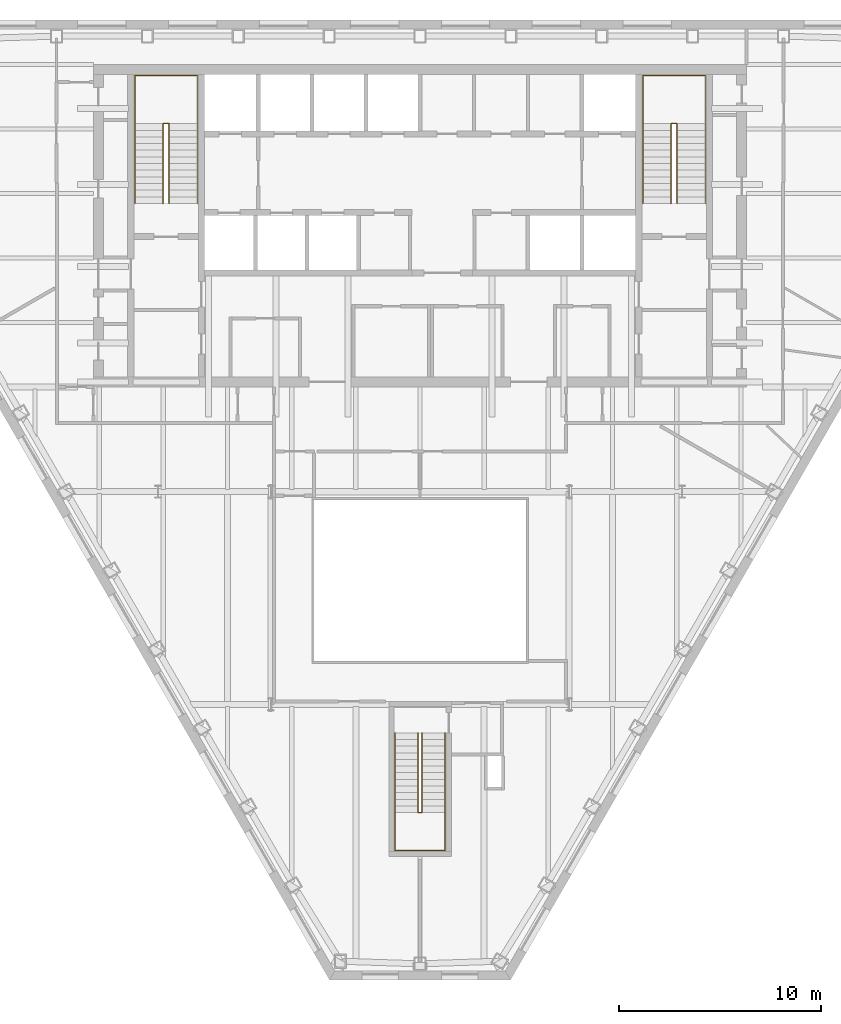
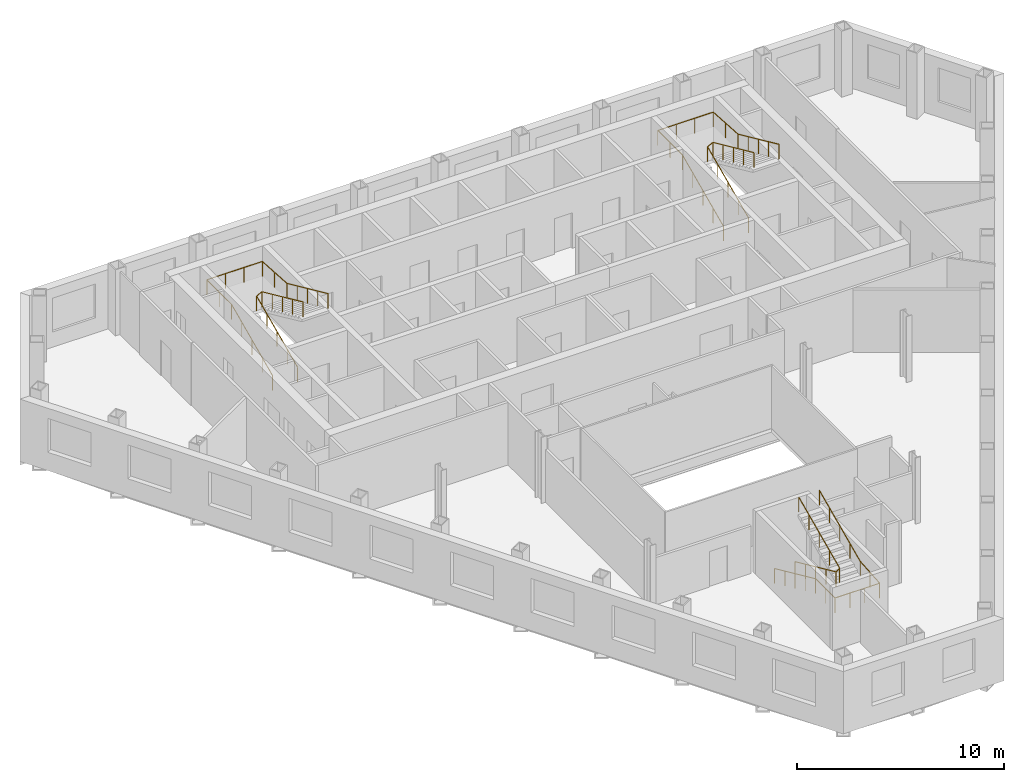
# One storey, part 11 of 11: 6 railings.
"""IFC4 building model written with IfcOpenShell, lengths in metres."""

from ifc_helpers import new_model, si_unit, direction, frame, origin, origin_2d, place, context, subcontext, project, spatial, circle, extrude, material, type_object, element, save


model = new_model("IFC4")

# Units and contexts
model_context = context("Model", 3, precision=1e-05, world=origin(), true_north=direction((0.0, 1.0)))
body_context = subcontext(model_context, "Body", "Model", "MODEL_VIEW")
ifc_project = project(units=[si_unit("LENGTHUNIT", "METRE"), si_unit("AREAUNIT", "SQUARE_METRE"), si_unit("VOLUMEUNIT", "CUBIC_METRE"), si_unit("PLANEANGLEUNIT", "RADIAN"), si_unit("MASSUNIT", "GRAM", prefix="KILO")], contexts=[model_context])

# Site, building, storey
site_placement = place(None, origin())
site = spatial("IfcSite", under=ifc_project, at=site_placement, CompositionType="ELEMENT")
building_placement = place(site_placement, origin())
building = spatial("IfcBuilding", under=site, at=building_placement, Name="Njiva Tower", CompositionType="ELEMENT")
storey_placement = place(building_placement, frame((0.0, 0.0, 139.8)))
storey = spatial("IfcBuildingStorey", under=building, at=storey_placement, Name="L29", CompositionType="ELEMENT", Elevation=139.8)

# Railings
ifc_material = material(Name="Stainless steel", Category="steel")
railing_type = type_object("IfcRailingType", Name="RL1 Stair handrail 900", PredefinedType="HANDRAIL", material=ifc_material)
railing_1_placement = place(storey_placement, frame((-14.15, 11.1, 0.15)))
element("IfcRailing", 1, at=railing_1_placement, inside=storey, type_object=railing_type, Name="Stair A handrail", PredefinedType="HANDRAIL", context=body_context, shape_type="SweptSolid", body=[
    extrude(circle(Radius=0.024, at=origin_2d()), frame((0.0, 0.0, 0.876), z_axis=(0.0, 0.910366477463, 0.413802944301), x_axis=(-1.0, 0.0, 0.0)), (0.0, 0.0, 1.0), 4.3499),
    extrude(circle(Radius=0.024, at=origin_2d()), frame((0.0, 3.96, 2.676), z_axis=(0.0, 1.0, 0.0), x_axis=(-1.0, 0.0, 0.0)), (0.0, 0.0, 1.0), 2.39),
    extrude(circle(Radius=0.024, at=origin_2d()), frame((0.0, 6.35, 2.676), z_axis=(1.0, 0.0, 0.0), x_axis=(0.0, 1.0, 0.0)), (0.0, 0.0, 1.0), 3.1),
    extrude(circle(Radius=0.024, at=origin_2d()), frame((3.1, 6.35, 2.676), z_axis=(0.0, -0.998036296047, 0.062638261258), x_axis=(1.0, 0.0, 0.0)), (0.0, 0.0, 1.0), 2.3947),
    extrude(circle(Radius=0.024, at=origin_2d()), frame((3.1, 3.96, 2.826), z_axis=(0.0, -0.910366477463, 0.413802944301), x_axis=(1.0, 0.0, 0.0)), (0.0, 0.0, 1.0), 4.3499),
    extrude(circle(Radius=0.021, at=origin_2d()), origin(), (0.0, 0.0, 1.0), 0.852),
    extrude(circle(Radius=0.021, at=origin_2d()), frame((0.0, 0.99, 0.45)), (0.0, 0.0, 1.0), 0.852),
    extrude(circle(Radius=0.021, at=origin_2d()), frame((0.0, 1.98, 0.9)), (0.0, 0.0, 1.0), 0.852),
    extrude(circle(Radius=0.021, at=origin_2d()), frame((0.0, 2.97, 1.35)), (0.0, 0.0, 1.0), 0.852),
    extrude(circle(Radius=0.021, at=origin_2d()), frame((0.0, 3.96, 1.8)), (0.0, 0.0, 1.0), 0.852),
    extrude(circle(Radius=0.021, at=origin_2d()), frame((0.0, 5.155, 1.8)), (0.0, 0.0, 1.0), 0.852),
    extrude(circle(Radius=0.021, at=origin_2d()), frame((0.0, 6.35, 1.8)), (0.0, 0.0, 1.0), 0.852),
    extrude(circle(Radius=0.021, at=origin_2d()), frame((1.0333, 6.35, 1.8)), (0.0, 0.0, 1.0), 0.852),
    extrude(circle(Radius=0.021, at=origin_2d()), frame((2.0667, 6.35, 1.8)), (0.0, 0.0, 1.0), 0.852),
    extrude(circle(Radius=0.021, at=origin_2d()), frame((3.1, 6.35, 1.8)), (0.0, 0.0, 1.0), 0.852),
    extrude(circle(Radius=0.021, at=origin_2d()), frame((3.1, 5.155, 1.875)), (0.0, 0.0, 1.0), 0.852),
    extrude(circle(Radius=0.021, at=origin_2d()), frame((3.1, 3.96, 1.95)), (0.0, 0.0, 1.0), 0.852),
    extrude(circle(Radius=0.021, at=origin_2d()), frame((3.1, 2.97, 2.4)), (0.0, 0.0, 1.0), 0.852),
    extrude(circle(Radius=0.021, at=origin_2d()), frame((3.1, 1.98, 2.85)), (0.0, 0.0, 1.0), 0.852),
    extrude(circle(Radius=0.021, at=origin_2d()), frame((3.1, 0.99, 3.3)), (0.0, 0.0, 1.0), 0.852),
    extrude(circle(Radius=0.021, at=origin_2d()), frame((3.1, 0.0, 3.75)), (0.0, 0.0, 1.0), 0.852),
])
railing_2_placement = place(storey_placement, frame((-12.75, 11.1, 0.15)))
element("IfcRailing", 2, at=railing_2_placement, inside=storey, type_object=railing_type, Name="Stair A handrail", PredefinedType="HANDRAIL", context=body_context, shape_type="SweptSolid", body=[
    extrude(circle(Radius=0.024, at=origin_2d()), frame((0.0, 0.0, 0.876), z_axis=(0.0, 0.910366477463, 0.413802944301), x_axis=(-1.0, 0.0, 0.0)), (0.0, 0.0, 1.0), 4.3499),
    extrude(circle(Radius=0.024, at=origin_2d()), frame((0.0, 3.96, 2.676), z_axis=(0.894427191, 0.0, 0.4472135955), x_axis=(0.0, 1.0, 0.0)), (0.0, 0.0, 1.0), 0.3354),
    extrude(circle(Radius=0.024, at=origin_2d()), frame((0.3, 3.96, 2.826), z_axis=(0.0, -0.910366477463, 0.413802944301), x_axis=(1.0, 0.0, 0.0)), (0.0, 0.0, 1.0), 4.3499),
    extrude(circle(Radius=0.021, at=origin_2d()), origin(), (0.0, 0.0, 1.0), 0.852),
    extrude(circle(Radius=0.021, at=origin_2d()), frame((0.0, 0.99, 0.45)), (0.0, 0.0, 1.0), 0.852),
    extrude(circle(Radius=0.021, at=origin_2d()), frame((0.0, 1.98, 0.9)), (0.0, 0.0, 1.0), 0.852),
    extrude(circle(Radius=0.021, at=origin_2d()), frame((0.0, 2.97, 1.35)), (0.0, 0.0, 1.0), 0.852),
    extrude(circle(Radius=0.021, at=origin_2d()), frame((0.0, 3.96, 1.8)), (0.0, 0.0, 1.0), 0.852),
    extrude(circle(Radius=0.021, at=origin_2d()), frame((0.3, 3.96, 1.95)), (0.0, 0.0, 1.0), 0.852),
    extrude(circle(Radius=0.021, at=origin_2d()), frame((0.3, 2.97, 2.4)), (0.0, 0.0, 1.0), 0.852),
    extrude(circle(Radius=0.021, at=origin_2d()), frame((0.3, 1.98, 2.85)), (0.0, 0.0, 1.0), 0.852),
    extrude(circle(Radius=0.021, at=origin_2d()), frame((0.3, 0.99, 3.3)), (0.0, 0.0, 1.0), 0.852),
    extrude(circle(Radius=0.021, at=origin_2d()), frame((0.3, 0.0, 3.75)), (0.0, 0.0, 1.0), 0.852),
])
railing_3_placement = place(storey_placement, frame((11.05, 11.1, 0.15)))
element("IfcRailing", 3, at=railing_3_placement, inside=storey, type_object=railing_type, Name="Stair B handrail", PredefinedType="HANDRAIL", context=body_context, shape_type="SweptSolid", body=[
    extrude(circle(Radius=0.024, at=origin_2d()), frame((0.0, 0.0, 0.876), z_axis=(0.0, 0.910366477463, 0.413802944301), x_axis=(-1.0, 0.0, 0.0)), (0.0, 0.0, 1.0), 4.3499),
    extrude(circle(Radius=0.024, at=origin_2d()), frame((0.0, 3.96, 2.676), z_axis=(0.0, 1.0, 0.0), x_axis=(-1.0, 0.0, 0.0)), (0.0, 0.0, 1.0), 2.39),
    extrude(circle(Radius=0.024, at=origin_2d()), frame((0.0, 6.35, 2.676), z_axis=(1.0, 0.0, 0.0), x_axis=(0.0, 1.0, 0.0)), (0.0, 0.0, 1.0), 3.1),
    extrude(circle(Radius=0.024, at=origin_2d()), frame((3.1, 6.35, 2.676), z_axis=(0.0, -0.998036296047, 0.062638261258), x_axis=(1.0, 0.0, 0.0)), (0.0, 0.0, 1.0), 2.3947),
    extrude(circle(Radius=0.024, at=origin_2d()), frame((3.1, 3.96, 2.826), z_axis=(0.0, -0.910366477463, 0.413802944301), x_axis=(1.0, 0.0, 0.0)), (0.0, 0.0, 1.0), 4.3499),
    extrude(circle(Radius=0.021, at=origin_2d()), origin(), (0.0, 0.0, 1.0), 0.852),
    extrude(circle(Radius=0.021, at=origin_2d()), frame((0.0, 0.99, 0.45)), (0.0, 0.0, 1.0), 0.852),
    extrude(circle(Radius=0.021, at=origin_2d()), frame((0.0, 1.98, 0.9)), (0.0, 0.0, 1.0), 0.852),
    extrude(circle(Radius=0.021, at=origin_2d()), frame((0.0, 2.97, 1.35)), (0.0, 0.0, 1.0), 0.852),
    extrude(circle(Radius=0.021, at=origin_2d()), frame((0.0, 3.96, 1.8)), (0.0, 0.0, 1.0), 0.852),
    extrude(circle(Radius=0.021, at=origin_2d()), frame((0.0, 5.155, 1.8)), (0.0, 0.0, 1.0), 0.852),
    extrude(circle(Radius=0.021, at=origin_2d()), frame((0.0, 6.35, 1.8)), (0.0, 0.0, 1.0), 0.852),
    extrude(circle(Radius=0.021, at=origin_2d()), frame((1.0333, 6.35, 1.8)), (0.0, 0.0, 1.0), 0.852),
    extrude(circle(Radius=0.021, at=origin_2d()), frame((2.0667, 6.35, 1.8)), (0.0, 0.0, 1.0), 0.852),
    extrude(circle(Radius=0.021, at=origin_2d()), frame((3.1, 6.35, 1.8)), (0.0, 0.0, 1.0), 0.852),
    extrude(circle(Radius=0.021, at=origin_2d()), frame((3.1, 5.155, 1.875)), (0.0, 0.0, 1.0), 0.852),
    extrude(circle(Radius=0.021, at=origin_2d()), frame((3.1, 3.96, 1.95)), (0.0, 0.0, 1.0), 0.852),
    extrude(circle(Radius=0.021, at=origin_2d()), frame((3.1, 2.97, 2.4)), (0.0, 0.0, 1.0), 0.852),
    extrude(circle(Radius=0.021, at=origin_2d()), frame((3.1, 1.98, 2.85)), (0.0, 0.0, 1.0), 0.852),
    extrude(circle(Radius=0.021, at=origin_2d()), frame((3.1, 0.99, 3.3)), (0.0, 0.0, 1.0), 0.852),
    extrude(circle(Radius=0.021, at=origin_2d()), frame((3.1, 0.0, 3.75)), (0.0, 0.0, 1.0), 0.852),
])
railing_4_placement = place(storey_placement, frame((12.45, 11.1, 0.15)))
element("IfcRailing", 4, at=railing_4_placement, inside=storey, type_object=railing_type, Name="Stair B handrail", PredefinedType="HANDRAIL", context=body_context, shape_type="SweptSolid", body=[
    extrude(circle(Radius=0.024, at=origin_2d()), frame((0.0, 0.0, 0.876), z_axis=(0.0, 0.910366477463, 0.413802944301), x_axis=(-1.0, 0.0, 0.0)), (0.0, 0.0, 1.0), 4.3499),
    extrude(circle(Radius=0.024, at=origin_2d()), frame((0.0, 3.96, 2.676), z_axis=(0.894427191, 0.0, 0.4472135955), x_axis=(0.0, 1.0, 0.0)), (0.0, 0.0, 1.0), 0.3354),
    extrude(circle(Radius=0.024, at=origin_2d()), frame((0.3, 3.96, 2.826), z_axis=(0.0, -0.910366477463, 0.413802944301), x_axis=(1.0, 0.0, 0.0)), (0.0, 0.0, 1.0), 4.3499),
    extrude(circle(Radius=0.021, at=origin_2d()), origin(), (0.0, 0.0, 1.0), 0.852),
    extrude(circle(Radius=0.021, at=origin_2d()), frame((0.0, 0.99, 0.45)), (0.0, 0.0, 1.0), 0.852),
    extrude(circle(Radius=0.021, at=origin_2d()), frame((0.0, 1.98, 0.9)), (0.0, 0.0, 1.0), 0.852),
    extrude(circle(Radius=0.021, at=origin_2d()), frame((0.0, 2.97, 1.35)), (0.0, 0.0, 1.0), 0.852),
    extrude(circle(Radius=0.021, at=origin_2d()), frame((0.0, 3.96, 1.8)), (0.0, 0.0, 1.0), 0.852),
    extrude(circle(Radius=0.021, at=origin_2d()), frame((0.3, 3.96, 1.95)), (0.0, 0.0, 1.0), 0.852),
    extrude(circle(Radius=0.021, at=origin_2d()), frame((0.3, 2.97, 2.4)), (0.0, 0.0, 1.0), 0.852),
    extrude(circle(Radius=0.021, at=origin_2d()), frame((0.3, 1.98, 2.85)), (0.0, 0.0, 1.0), 0.852),
    extrude(circle(Radius=0.021, at=origin_2d()), frame((0.3, 0.99, 3.3)), (0.0, 0.0, 1.0), 0.852),
    extrude(circle(Radius=0.021, at=origin_2d()), frame((0.3, 0.0, 3.75)), (0.0, 0.0, 1.0), 0.852),
])
railing_5_placement = place(storey_placement, frame((-1.25, -15.16, 0.15)))
element("IfcRailing", 5, at=railing_5_placement, inside=storey, type_object=railing_type, Name="Stair C handrail", PredefinedType="HANDRAIL", context=body_context, shape_type="SweptSolid", body=[
    extrude(circle(Radius=0.024, at=origin_2d()), frame((0.0, 0.0, 0.876), z_axis=(0.0, -0.910366477463, 0.413802944301), x_axis=(1.0, 0.0, 0.0)), (0.0, 0.0, 1.0), 4.3499),
    extrude(circle(Radius=0.024, at=origin_2d()), frame((0.0, -3.96, 2.676), z_axis=(0.0, -1.0, 0.0), x_axis=(1.0, 0.0, 0.0)), (0.0, 0.0, 1.0), 1.88),
    extrude(circle(Radius=0.024, at=origin_2d()), frame((0.0, -5.84, 2.676), z_axis=(1.0, 0.0, 0.0), x_axis=(0.0, 1.0, 0.0)), (0.0, 0.0, 1.0), 2.5),
    extrude(circle(Radius=0.024, at=origin_2d()), frame((2.5, -5.84, 2.676), z_axis=(0.0, 0.996832115713, 0.079534477318), x_axis=(-1.0, 0.0, 0.0)), (0.0, 0.0, 1.0), 1.886),
    extrude(circle(Radius=0.024, at=origin_2d()), frame((2.5, -3.96, 2.826), z_axis=(0.0, 0.910366477463, 0.413802944301), x_axis=(-1.0, 0.0, 0.0)), (0.0, 0.0, 1.0), 4.3499),
    extrude(circle(Radius=0.021, at=origin_2d()), origin(), (0.0, 0.0, 1.0), 0.852),
    extrude(circle(Radius=0.021, at=origin_2d()), frame((0.0, -0.99, 0.45)), (0.0, 0.0, 1.0), 0.852),
    extrude(circle(Radius=0.021, at=origin_2d()), frame((0.0, -1.98, 0.9)), (0.0, 0.0, 1.0), 0.852),
    extrude(circle(Radius=0.021, at=origin_2d()), frame((0.0, -2.97, 1.35)), (0.0, 0.0, 1.0), 0.852),
    extrude(circle(Radius=0.021, at=origin_2d()), frame((0.0, -3.96, 1.8)), (0.0, 0.0, 1.0), 0.852),
    extrude(circle(Radius=0.021, at=origin_2d()), frame((0.0, -4.9, 1.8)), (0.0, 0.0, 1.0), 0.852),
    extrude(circle(Radius=0.021, at=origin_2d()), frame((0.0, -5.84, 1.8)), (0.0, 0.0, 1.0), 0.852),
    extrude(circle(Radius=0.021, at=origin_2d()), frame((0.8333, -5.84, 1.8)), (0.0, 0.0, 1.0), 0.852),
    extrude(circle(Radius=0.021, at=origin_2d()), frame((1.6667, -5.84, 1.8)), (0.0, 0.0, 1.0), 0.852),
    extrude(circle(Radius=0.021, at=origin_2d()), frame((2.5, -5.84, 1.8)), (0.0, 0.0, 1.0), 0.852),
    extrude(circle(Radius=0.021, at=origin_2d()), frame((2.5, -4.9, 1.875)), (0.0, 0.0, 1.0), 0.852),
    extrude(circle(Radius=0.021, at=origin_2d()), frame((2.5, -3.96, 1.95)), (0.0, 0.0, 1.0), 0.852),
    extrude(circle(Radius=0.021, at=origin_2d()), frame((2.5, -2.97, 2.4)), (0.0, 0.0, 1.0), 0.852),
    extrude(circle(Radius=0.021, at=origin_2d()), frame((2.5, -1.98, 2.85)), (0.0, 0.0, 1.0), 0.852),
    extrude(circle(Radius=0.021, at=origin_2d()), frame((2.5, -0.99, 3.3)), (0.0, 0.0, 1.0), 0.852),
    extrude(circle(Radius=0.021, at=origin_2d()), frame((2.5, 0.0, 3.75)), (0.0, 0.0, 1.0), 0.852),
])
railing_6_placement = place(storey_placement, frame((-0.1, -15.16, 0.15)))
element("IfcRailing", 6, at=railing_6_placement, inside=storey, type_object=railing_type, Name="Stair C handrail", PredefinedType="HANDRAIL", context=body_context, shape_type="SweptSolid", body=[
    extrude(circle(Radius=0.024, at=origin_2d()), frame((0.0, 0.0, 0.876), z_axis=(0.0, -0.910366477463, 0.413802944301), x_axis=(1.0, 0.0, 0.0)), (0.0, 0.0, 1.0), 4.3499),
    extrude(circle(Radius=0.024, at=origin_2d()), frame((0.0, -3.96, 2.676), z_axis=(0.8, 0.0, 0.6), x_axis=(0.0, 1.0, 0.0)), (0.0, 0.0, 1.0), 0.25),
    extrude(circle(Radius=0.024, at=origin_2d()), frame((0.2, -3.96, 2.826), z_axis=(0.0, 0.910366477463, 0.413802944301), x_axis=(-1.0, 0.0, 0.0)), (0.0, 0.0, 1.0), 4.3499),
    extrude(circle(Radius=0.021, at=origin_2d()), origin(), (0.0, 0.0, 1.0), 0.852),
    extrude(circle(Radius=0.021, at=origin_2d()), frame((0.0, -0.99, 0.45)), (0.0, 0.0, 1.0), 0.852),
    extrude(circle(Radius=0.021, at=origin_2d()), frame((0.0, -1.98, 0.9)), (0.0, 0.0, 1.0), 0.852),
    extrude(circle(Radius=0.021, at=origin_2d()), frame((0.0, -2.97, 1.35)), (0.0, 0.0, 1.0), 0.852),
    extrude(circle(Radius=0.021, at=origin_2d()), frame((0.0, -3.96, 1.8)), (0.0, 0.0, 1.0), 0.852),
    extrude(circle(Radius=0.021, at=origin_2d()), frame((0.2, -3.96, 1.95)), (0.0, 0.0, 1.0), 0.852),
    extrude(circle(Radius=0.021, at=origin_2d()), frame((0.2, -2.97, 2.4)), (0.0, 0.0, 1.0), 0.852),
    extrude(circle(Radius=0.021, at=origin_2d()), frame((0.2, -1.98, 2.85)), (0.0, 0.0, 1.0), 0.852),
    extrude(circle(Radius=0.021, at=origin_2d()), frame((0.2, -0.99, 3.3)), (0.0, 0.0, 1.0), 0.852),
    extrude(circle(Radius=0.021, at=origin_2d()), frame((0.2, 0.0, 3.75)), (0.0, 0.0, 1.0), 0.852),
])

save(model, "model.ifc")
